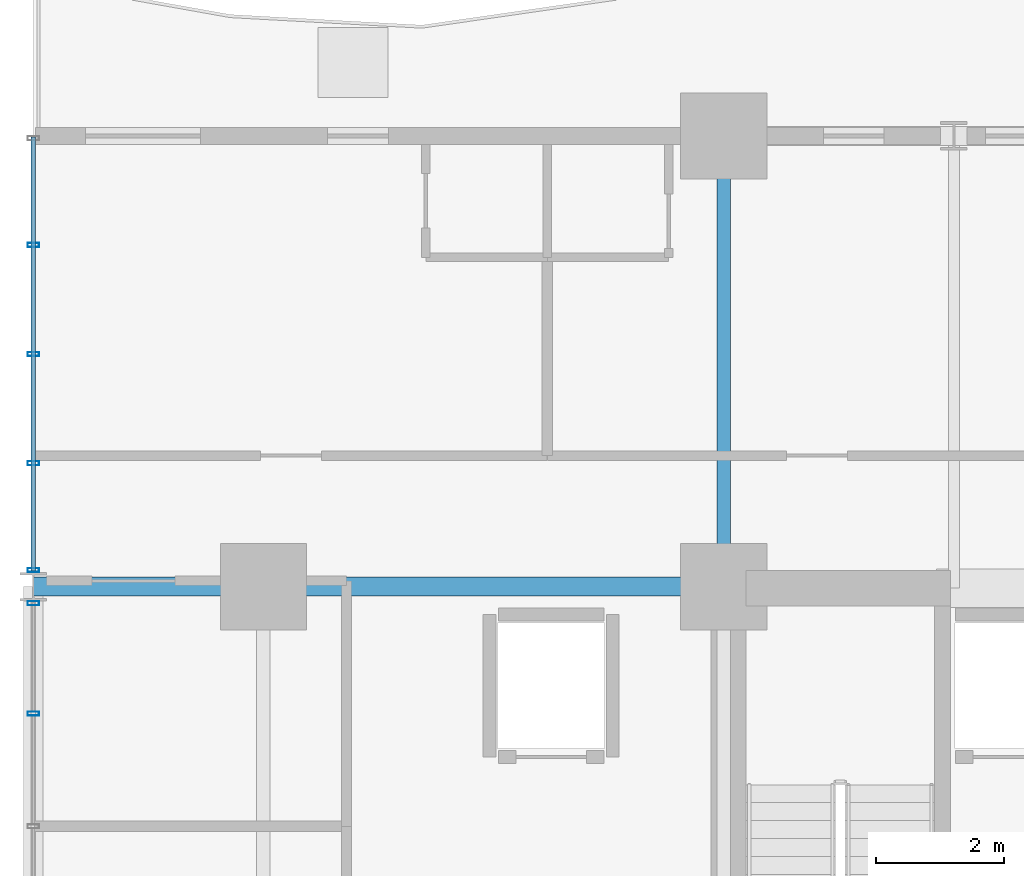
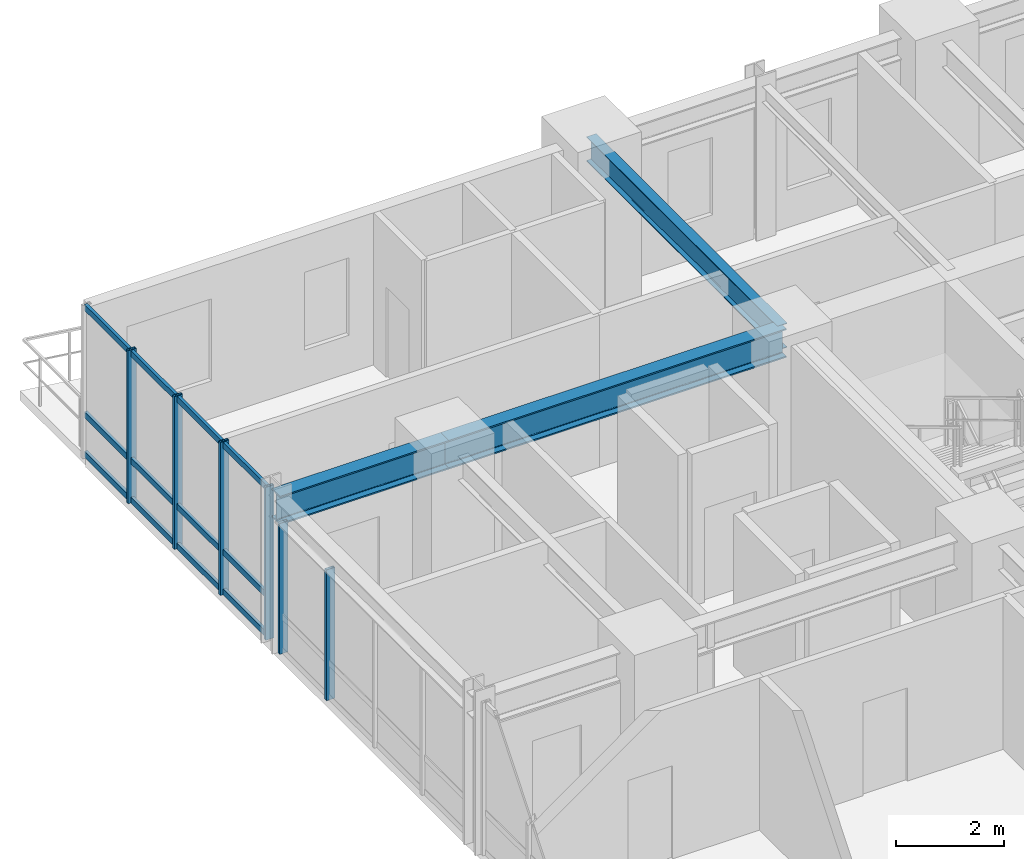
# One storey, part 6 of 19: 9 members, 3 beams, 2 elements without a shape of their own.
"""IFC4 building model written with IfcOpenShell, lengths in metres."""

from ifc_helpers import new_model, si_unit, direction, frame, origin, origin_2d, place, context, subcontext, project, spatial, hollow_rectangle, i_section, extrude, source, transform, mapped, material, layer, layer_set, material_profile, profile_set, type_object, element, aggregate, save


model = new_model("IFC4")

# Units and contexts
model_context = context("Model", 3, precision=1e-05, world=origin(), true_north=direction((0.0, 1.0)))
body_context = subcontext(model_context, "Body", "Model", "MODEL_VIEW")
ifc_project = project(units=[si_unit("LENGTHUNIT", "METRE"), si_unit("AREAUNIT", "SQUARE_METRE"), si_unit("VOLUMEUNIT", "CUBIC_METRE"), si_unit("PLANEANGLEUNIT", "RADIAN"), si_unit("MASSUNIT", "GRAM", prefix="KILO")], contexts=[model_context])

# Site, building, storey
site_placement = place(None, origin())
site = spatial("IfcSite", under=ifc_project, at=site_placement, CompositionType="ELEMENT")
building_placement = place(site_placement, origin())
building = spatial("IfcBuilding", under=site, at=building_placement, Name="Kaliganga Portal Commons", CompositionType="ELEMENT")
storey_placement = place(building_placement, frame((0.0, 0.0, 47.5)))
storey = spatial("IfcBuildingStorey", under=building, at=storey_placement, Name="L11", CompositionType="ELEMENT", Elevation=47.5)

# Beams
ifc_material_1 = material(Name="Structural steel S355J2", Category="steel")
ifc_material_profile_1 = material_profile(ifc_material_1, i_section(OverallWidth=0.300048828125, OverallDepth=0.64990234375, WebThickness=0.01611328125, FlangeThickness=0.031005859375, FilletRadius=0.027099609375, at=origin_2d()), Name="HE 650 B")
ifc_profile_set_1 = profile_set([ifc_material_profile_1], Name="Structural steel S355J2 wide-flange")
beam_type_1 = type_object("IfcBeamType", Name="BM-GIRD-650", PredefinedType="USERDEFINED", material=ifc_profile_set_1)
shared_shape_1 = source(origin(), body_context, "Body", "SweptSolid", [
    extrude(i_section(OverallWidth=0.300048828125, OverallDepth=0.64990234375, WebThickness=0.01611328125, FlangeThickness=0.031005859375, FilletRadius=0.027099609375, at=origin_2d()), origin(), (0.0, 0.0, 1.0), 3.599853515625),
])
beam_1_placement = place(storey_placement, frame((3.60009765625, 36.14990234375, 3.125), z_axis=(1.0, 0.0, 0.0), x_axis=(0.0, 1.0, 0.0)))
element("IfcBeam", 1, at=beam_1_placement, inside=storey, type_object=beam_type_1, Name="BM G L11 WAH_N 1", ObjectType="GIRDER", PredefinedType="USERDEFINED", context=body_context, shape_type="MappedRepresentation", body=[
    mapped(shared_shape_1, transform((0.0, 0.0, 0.0), x_axis=(1.0, 0.0, 0.0), y_axis=(0.0, 1.0, 0.0), z_axis=(0.0, 0.0, 1.0), scale=1.0)),
])
shared_shape_2 = source(origin(), body_context, "Body", "SweptSolid", [
    extrude(i_section(OverallWidth=0.300048828125, OverallDepth=0.64990234375, WebThickness=0.01611328125, FlangeThickness=0.031005859375, FilletRadius=0.027099609375, at=origin_2d()), origin(), (0.0, 0.0, 1.0), 7.199951171875),
])
beam_2_placement = place(storey_placement, frame((7.199951171875, 36.14990234375, 3.125), z_axis=(1.0, 0.0, 0.0), x_axis=(0.0, 1.0, 0.0)))
element("IfcBeam", 2, at=beam_2_placement, inside=storey, type_object=beam_type_1, Name="BM G L11 WAH_N 2", ObjectType="GIRDER", PredefinedType="USERDEFINED", context=body_context, shape_type="MappedRepresentation", body=[
    mapped(shared_shape_2, transform((0.0, 0.0, 0.0), x_axis=(1.0, 0.0, 0.0), y_axis=(0.0, 1.0, 0.0), z_axis=(0.0, 0.0, 1.0), scale=1.0)),
])
ifc_material_profile_2 = material_profile(ifc_material_1, i_section(OverallWidth=0.2099609375, OverallDepth=0.550048828125, WebThickness=0.010986328125, FlangeThickness=0.01708984375, FilletRadius=0.02392578125, at=origin_2d()), Name="IPE 550")
ifc_profile_set_2 = profile_set([ifc_material_profile_2], Name="Structural steel S355J2 wide-flange")
beam_type_2 = type_object("IfcBeamType", Name="BM-FLR-550", PredefinedType="BEAM", material=ifc_profile_set_2)
shared_shape_3 = source(origin(), body_context, "Body", "SweptSolid", [
    extrude(i_section(OverallWidth=0.2099609375, OverallDepth=0.550048828125, WebThickness=0.010986328125, FlangeThickness=0.01708984375, FilletRadius=0.02392578125, at=origin_2d()), origin(), (0.0, 0.0, 1.0), 7.050048828125),
])
beam_3_placement = place(storey_placement, frame((14.39990234375, 36.14990234375, 3.175048828125), z_axis=(0.0, 1.0, 0.0), x_axis=(-1.0, 0.0, 0.0)))
element("IfcBeam", 3, at=beam_3_placement, inside=storey, type_object=beam_type_2, Name="BM G L11 AN144", PredefinedType="BEAM", context=body_context, shape_type="MappedRepresentation", body=[
    mapped(shared_shape_3, transform((0.0, 0.0, 0.0), x_axis=(1.0, 0.0, 0.0), y_axis=(0.0, 1.0, 0.0), z_axis=(0.0, 0.0, 1.0), scale=1.0)),
])

# Curtain wall, members
ifc_material_2 = material(Name="Anodized Aluminium and Laminated Low-E Glass", Category="aluminium")
ifc_layer = layer(ifc_material_2, 0.199951171875)
ifc_layer_set = layer_set([ifc_layer], Name="Anodized Aluminium and Laminated Low-E Glass")
curtain_wall_type = type_object("IfcCurtainWallType", Name="CW-SYS-02", PredefinedType="NOTDEFINED", material=ifc_layer_set)
curtain_wall_1_placement = place(storey_placement, origin())
curtain_wall_1 = element("IfcCurtainWall", 4, at=curtain_wall_1_placement, inside=storey, type_object=curtain_wall_type, Name="CW 02 L11 P1E03S1", PredefinedType="NOTDEFINED")
ifc_material_3 = material(Name="Dark Bronze Anodized Aluminium", Category="aluminium")
ifc_material_profile_3 = material_profile(ifc_material_3, hollow_rectangle(XDim=0.06494140625, YDim=0.179931640625, WallThickness=0.00390625, at=origin_2d()), Name="ALU MULL 65x180x4")
ifc_profile_set_3 = profile_set([ifc_material_profile_3], Name="Dark Bronze Anodized Aluminium")
member_type_1 = type_object("IfcMemberType", Name="CW-MUL-180", PredefinedType="MULLION", material=ifc_profile_set_3)
shared_shape_4 = source(origin(), body_context, "Body", "SweptSolid", [
    extrude(hollow_rectangle(XDim=0.06494140625, YDim=0.179931640625, WallThickness=0.00390625, at=origin_2d()), origin(), (0.0, 0.0, 1.0), 3.449951171875),
])
member_1_placement = place(storey_placement, frame((3.60009765625, 41.493408203125, 0.0), z_axis=(0.0, 0.0, 1.0), x_axis=(0.0, -1.0, 0.0)))
member_1 = element("IfcMember", 5, at=member_1_placement, type_object=member_type_1, Name="CW:02:L11:P1E03S1 Mullion 01", PredefinedType="MULLION", context=body_context, shape_type="MappedRepresentation", body=[
    mapped(shared_shape_4, transform((0.0, 0.0, 0.0), x_axis=(1.0, 0.0, 0.0), y_axis=(0.0, 1.0, 0.0), z_axis=(0.0, 0.0, 1.0), scale=1.0)),
])
member_2_placement = place(storey_placement, frame((3.60009765625, 39.787109375, 0.0), z_axis=(0.0, 0.0, 1.0), x_axis=(0.0, -1.0, 0.0)))
member_2 = element("IfcMember", 6, at=member_2_placement, type_object=member_type_1, Name="CW:02:L11:P1E03S1 Mullion 02", PredefinedType="MULLION", context=body_context, shape_type="MappedRepresentation", body=[
    mapped(shared_shape_4, transform((0.0, 0.0, 0.0), x_axis=(1.0, 0.0, 0.0), y_axis=(0.0, 1.0, 0.0), z_axis=(0.0, 0.0, 1.0), scale=1.0)),
])
member_3_placement = place(storey_placement, frame((3.60009765625, 38.08056640625, 0.0), z_axis=(0.0, 0.0, 1.0), x_axis=(0.0, -1.0, 0.0)))
member_3 = element("IfcMember", 7, at=member_3_placement, type_object=member_type_1, Name="CW:02:L11:P1E03S1 Mullion 03", PredefinedType="MULLION", context=body_context, shape_type="MappedRepresentation", body=[
    mapped(shared_shape_4, transform((0.0, 0.0, 0.0), x_axis=(1.0, 0.0, 0.0), y_axis=(0.0, 1.0, 0.0), z_axis=(0.0, 0.0, 1.0), scale=1.0)),
])
member_4_placement = place(storey_placement, frame((3.60009765625, 36.408935546875, 0.0), z_axis=(0.0, 0.0, 1.0), x_axis=(0.0, -1.0, 0.0)))
member_4 = element("IfcMember", 8, at=member_4_placement, type_object=member_type_1, Name="CW:02:L11:P1E03S1 Mullion 04", PredefinedType="MULLION", context=body_context, shape_type="MappedRepresentation", body=[
    mapped(shared_shape_4, transform((0.0, 0.0, 0.0), x_axis=(1.0, 0.0, 0.0), y_axis=(0.0, 1.0, 0.0), z_axis=(0.0, 0.0, 1.0), scale=1.0)),
])

curtain_wall_2_placement = place(storey_placement, origin())
curtain_wall_2 = element("IfcCurtainWall", 9, at=curtain_wall_2_placement, inside=storey, type_object=curtain_wall_type, Name="CW 02 L11 P1E03S2", PredefinedType="NOTDEFINED")
shared_shape_5 = source(origin(), body_context, "Body", "SweptSolid", [
    extrude(hollow_rectangle(XDim=0.06494140625, YDim=0.179931640625, WallThickness=0.00390625, at=origin_2d()), origin(), (0.0, 0.0, 1.0), 2.949951171875),
])
member_5_placement = place(storey_placement, frame((3.60009765625, 35.89111328125, 0.0), z_axis=(0.0, 0.0, 1.0), x_axis=(0.0, -1.0, 0.0)))
member_5 = element("IfcMember", 10, at=member_5_placement, type_object=member_type_1, Name="CW:02:L11:P1E03S2 Mullion 00", PredefinedType="MULLION", context=body_context, shape_type="MappedRepresentation", body=[
    mapped(shared_shape_5, transform((0.0, 0.0, 0.0), x_axis=(1.0, 0.0, 0.0), y_axis=(0.0, 1.0, 0.0), z_axis=(0.0, 0.0, 1.0), scale=1.0)),
])
member_6_placement = place(storey_placement, frame((3.60009765625, 34.1630859375, 0.0), z_axis=(0.0, 0.0, 1.0), x_axis=(0.0, -1.0, 0.0)))
member_6 = element("IfcMember", 11, at=member_6_placement, type_object=member_type_1, Name="CW:02:L11:P1E03S2 Mullion 01", PredefinedType="MULLION", context=body_context, shape_type="MappedRepresentation", body=[
    mapped(shared_shape_5, transform((0.0, 0.0, 0.0), x_axis=(1.0, 0.0, 0.0), y_axis=(0.0, 1.0, 0.0), z_axis=(0.0, 0.0, 1.0), scale=1.0)),
])
aggregate(curtain_wall_2, [member_5, member_6])

# Member
ifc_material_profile_4 = material_profile(ifc_material_3, hollow_rectangle(XDim=0.06494140625, YDim=0.135009765625, WallThickness=0.00341796875, at=origin_2d()), Name="ALU TRAN 65x135x3.5")
ifc_profile_set_4 = profile_set([ifc_material_profile_4], Name="Dark Bronze Anodized Aluminium")
member_type_2 = type_object("IfcMemberType", Name="CW-TRN-135", PredefinedType="USERDEFINED", material=ifc_profile_set_4)
shared_shape_6 = source(origin(), body_context, "Body", "SweptSolid", [
    extrude(hollow_rectangle(XDim=0.06494140625, YDim=0.135009765625, WallThickness=0.00341796875, at=origin_2d()), origin(), (0.0, 0.0, 1.0), 6.785888671875),
])
member_7_placement = place(storey_placement, frame((3.60009765625, 43.179931640625, 0.06005859375), z_axis=(0.0, -1.0, 0.0), x_axis=(1.0, 0.0, 0.0)))
member_7 = element("IfcMember", 12, at=member_7_placement, type_object=member_type_2, Name="CW:02:L11:P1E03S1 Transom 1", ObjectType="TRANSOM", PredefinedType="USERDEFINED", context=body_context, shape_type="MappedRepresentation", body=[
    mapped(shared_shape_6, transform((0.0, 0.0, 0.0), x_axis=(1.0, 0.0, 0.0), y_axis=(0.0, 1.0, 0.0), z_axis=(0.0, 0.0, 1.0), scale=1.0)),
])

member_8_placement = place(storey_placement, frame((3.60009765625, 43.179931640625, 0.949951171875), z_axis=(0.0, -1.0, 0.0), x_axis=(1.0, 0.0, 0.0)))
member_8 = element("IfcMember", 13, at=member_8_placement, type_object=member_type_2, Name="CW:02:L11:P1E03S1 Transom 2", ObjectType="TRANSOM", PredefinedType="USERDEFINED", context=body_context, shape_type="MappedRepresentation", body=[
    mapped(shared_shape_6, transform((0.0, 0.0, 0.0), x_axis=(1.0, 0.0, 0.0), y_axis=(0.0, 1.0, 0.0), z_axis=(0.0, 0.0, 1.0), scale=1.0)),
])

member_9_placement = place(storey_placement, frame((3.60009765625, 43.179931640625, 3.3701171875), z_axis=(0.0, -1.0, 0.0), x_axis=(1.0, 0.0, 0.0)))
member_9 = element("IfcMember", 14, at=member_9_placement, type_object=member_type_2, Name="CW:02:L11:P1E03S1 Transom 3", ObjectType="TRANSOM", PredefinedType="USERDEFINED", context=body_context, shape_type="MappedRepresentation", body=[
    mapped(shared_shape_6, transform((0.0, 0.0, 0.0), x_axis=(1.0, 0.0, 0.0), y_axis=(0.0, 1.0, 0.0), z_axis=(0.0, 0.0, 1.0), scale=1.0)),
])

aggregate(curtain_wall_1, [member_1, member_2, member_3, member_4, member_7, member_8, member_9])

save(model, "model.ifc")
